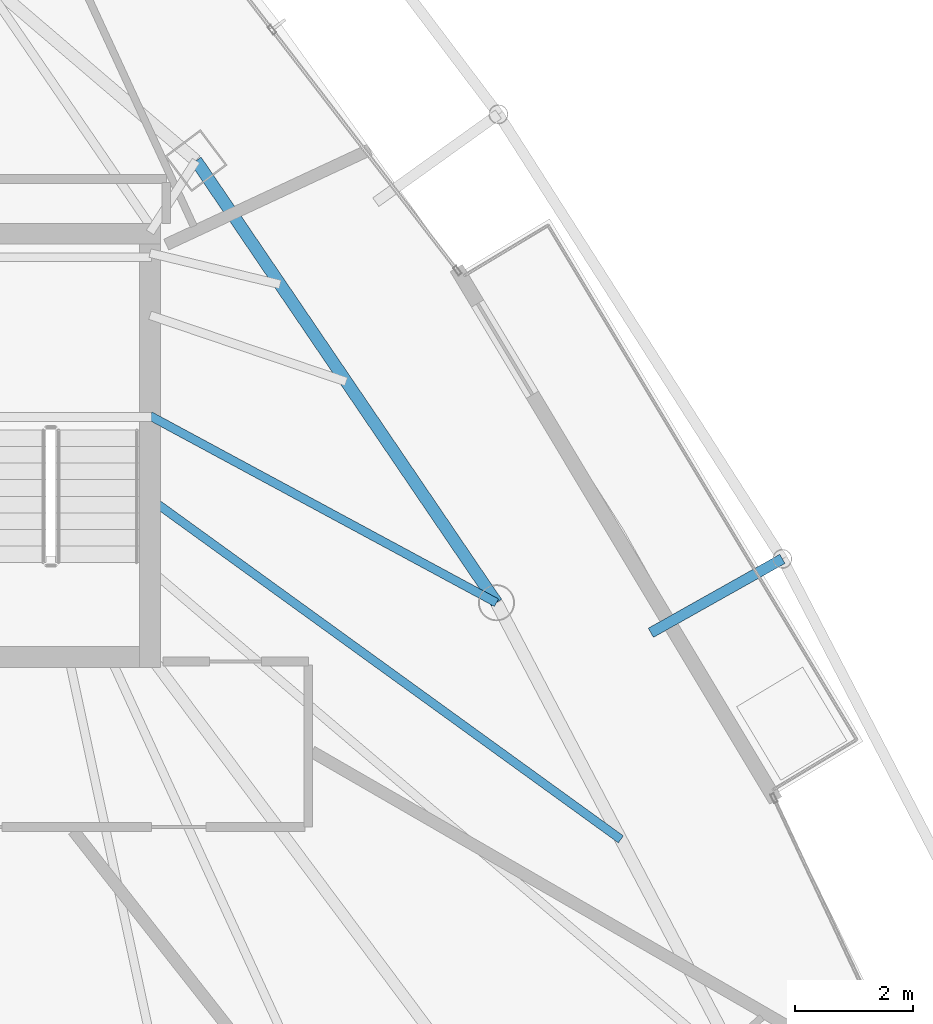
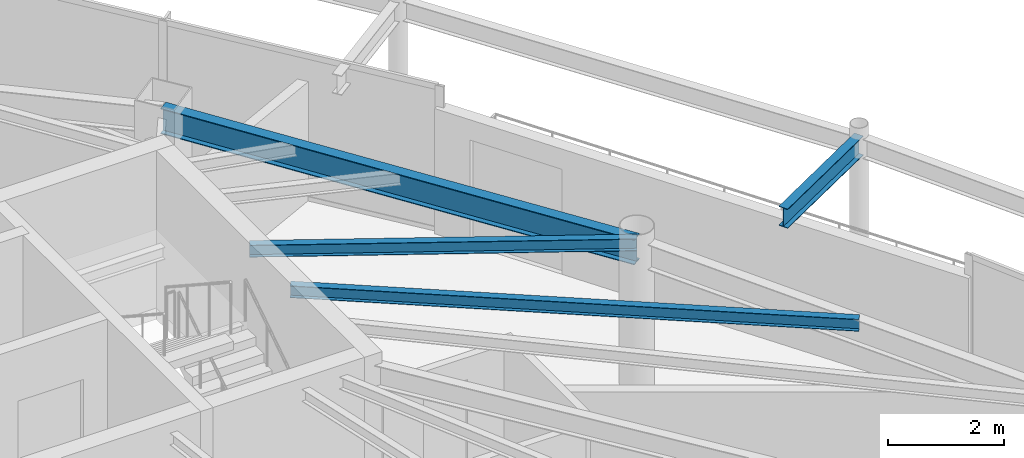
# One storey, part 21 of 34: 4 beams.
"""IFC4 building model written with IfcOpenShell, lengths in metres."""

from ifc_helpers import new_model, si_unit, direction, frame, origin, origin_2d, place, context, subcontext, project, spatial, i_section, extrude, material, material_profile, profile_set, type_object, element, save


model = new_model("IFC4")

# Units and contexts
model_context = context("Model", 3, precision=1e-05, world=origin(), true_north=direction((0.0, 1.0)))
body_context = subcontext(model_context, "Body", "Model", "MODEL_VIEW")
ifc_project = project(units=[si_unit("LENGTHUNIT", "METRE"), si_unit("AREAUNIT", "SQUARE_METRE"), si_unit("VOLUMEUNIT", "CUBIC_METRE"), si_unit("PLANEANGLEUNIT", "RADIAN"), si_unit("MASSUNIT", "GRAM", prefix="KILO")], contexts=[model_context])

# Site, building, storey
site_placement = place(None, origin())
site = spatial("IfcSite", under=ifc_project, at=site_placement, CompositionType="ELEMENT")
building_placement = place(site_placement, origin())
building = spatial("IfcBuilding", under=site, at=building_placement, Name="Orvanel Arch Residences", CompositionType="ELEMENT")
storey_placement = place(building_placement, frame((0.0, 0.0, 199.699951171875)))
storey = spatial("IfcBuildingStorey", under=building, at=storey_placement, Name="L56", CompositionType="ELEMENT", Elevation=199.699951171875)

# Beams
ifc_material = material(Name="Structural steel AS/NZS 3679.1 Grade 300 (300 MPa)", Category="steel")
ifc_material_profile_1 = material_profile(ifc_material, i_section(OverallWidth=0.14599609375, OverallDepth=0.251953125, WebThickness=0.006103515625, FlangeThickness=0.008544921875, at=origin_2d()), Name="250UB31.4")
ifc_profile_set_1 = profile_set([ifc_material_profile_1], Name="Structural steel AS/NZS 3679.1 Grade 300 (300 MPa)")
beam_type_1 = type_object("IfcBeamType", Name="BJ-250UB", PredefinedType="JOIST", material=ifc_profile_set_1)
beam_1_placement = place(storey_placement, frame((39.574951171875, 30.800048828125, 2.93408203125), z_axis=(0.880111494021, -0.474767056664, 0.0), x_axis=(0.474767056664, 0.880111494021, 0.0)))
element("IfcBeam", 1, at=beam_1_placement, inside=storey, type_object=beam_type_1, Name="L56 NE Wing Floor Joist", PredefinedType="JOIST", context=body_context, shape_type="SweptSolid", body=[
    extrude(i_section(OverallWidth=0.14599609375, OverallDepth=0.251953125, WebThickness=0.006103515625, FlangeThickness=0.008544921875, at=origin_2d()), origin(), (0.0, 0.0, 1.0), 6.653564453125),
])
beam_2_placement = place(storey_placement, frame((39.574951171875, 29.39990234375, 2.93408203125), z_axis=(0.810144032972, -0.586230881002, 0.0), x_axis=(0.586230881002, 0.810144032972, 0.0)))
element("IfcBeam", 2, at=beam_2_placement, inside=storey, type_object=beam_type_1, Name="L56 CTE Wing Floor Joist", PredefinedType="JOIST", context=body_context, shape_type="SweptSolid", body=[
    extrude(i_section(OverallWidth=0.14599609375, OverallDepth=0.251953125, WebThickness=0.006103515625, FlangeThickness=0.008544921875, at=origin_2d()), origin(), (0.0, 0.0, 1.0), 9.82177734375),
])
ifc_material_profile_2 = material_profile(ifc_material, i_section(OverallWidth=0.177978515625, OverallDepth=0.406005859375, WebThickness=0.0078125, FlangeThickness=0.0126953125, at=origin_2d()), Name="410UB59.7")
ifc_profile_set_2 = profile_set([ifc_material_profile_2], Name="Structural steel AS/NZS 3679.1 Grade 300 (300 MPa)")
beam_type_2 = type_object("IfcBeamType", Name="OB-410UB-EXT", PredefinedType="SPANDREL", material=ifc_profile_set_2)
beam_3_placement = place(storey_placement, frame((48.0390625, 27.133056640625, 2.85693359375), z_axis=(0.871803026856, 0.489856593673, 0.0), x_axis=(-0.489856593673, 0.871803026856, 0.0)))
element("IfcBeam", 3, at=beam_3_placement, inside=storey, type_object=beam_type_2, Name="L56 Outer Frame Radial Tie Beam 10", PredefinedType="SPANDREL", context=body_context, shape_type="SweptSolid", body=[
    extrude(i_section(OverallWidth=0.177978515625, OverallDepth=0.406005859375, WebThickness=0.0078125, FlangeThickness=0.0126953125, at=origin_2d()), origin(), (0.0, 0.0, 1.0), 2.5498046875),
])
ifc_material_profile_3 = material_profile(ifc_material, i_section(OverallWidth=0.208984375, OverallDepth=0.532958984375, WebThickness=0.01025390625, FlangeThickness=0.015625, at=origin_2d()), Name="530UB92.4")
ifc_profile_set_3 = profile_set([ifc_material_profile_3], Name="Structural steel AS/NZS 3679.1 Grade 300 (300 MPa)")
beam_type_3 = type_object("IfcBeamType", Name="SP-530UB", PredefinedType="SPANDREL", material=ifc_profile_set_3)
beam_4_placement = place(storey_placement, frame((45.430908203125, 27.64111328125, 2.79296875), z_axis=(-0.562154793153, 0.827032035978, 0.0), x_axis=(-0.827032035978, -0.562154793153, 0.0)))
element("IfcBeam", 4, at=beam_4_placement, inside=storey, type_object=beam_type_3, Name="L56 Perimeter Spandrel Beam 08", PredefinedType="SPANDREL", context=body_context, shape_type="SweptSolid", body=[
    extrude(i_section(OverallWidth=0.208984375, OverallDepth=0.532958984375, WebThickness=0.01025390625, FlangeThickness=0.015625, at=origin_2d()), origin(), (0.0, 0.0, 1.0), 9.03466796875),
])

save(model, "model.ifc")
